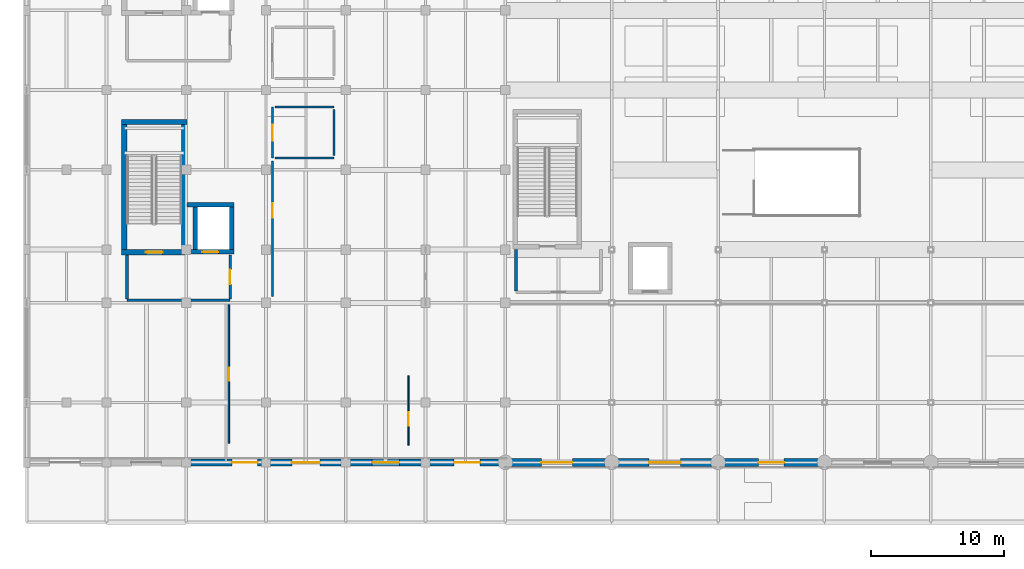
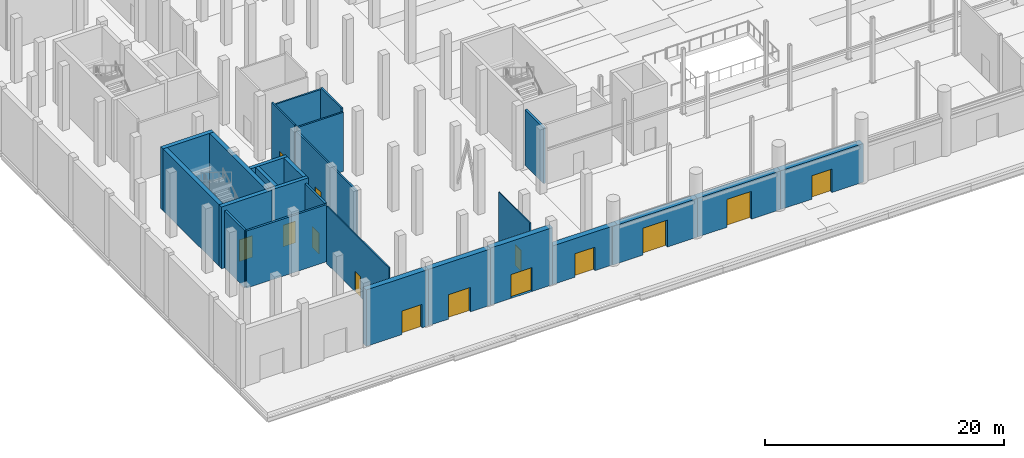
# One storey, part 118 of 140: 26 walls, 14 doors, 14 openings.
"""IFC4 building model written with IfcOpenShell, lengths in metres."""

from ifc_helpers import new_model, si_unit, direction, frame, frame_2d, origin, place, context, subcontext, project, spatial, rectangle, extrude, material, layer, layer_set, type_object, element, fill, save


model = new_model("IFC4")

# Units and contexts
model_context = context("Model", 3, precision=1e-05, world=origin(), true_north=direction((0.0, 1.0)))
body_context = subcontext(model_context, "Body", "Model", "MODEL_VIEW")
ifc_project = project(units=[si_unit("LENGTHUNIT", "METRE"), si_unit("AREAUNIT", "SQUARE_METRE"), si_unit("VOLUMEUNIT", "CUBIC_METRE"), si_unit("PLANEANGLEUNIT", "RADIAN"), si_unit("MASSUNIT", "GRAM", prefix="KILO")], contexts=[model_context])

# Site, building, storey
site_placement = place(None, origin())
site = spatial("IfcSite", under=ifc_project, at=site_placement, CompositionType="ELEMENT")
building_placement = place(site_placement, origin())
building = spatial("IfcBuilding", under=site, at=building_placement, Name="Verrall Gate Interchange", CompositionType="ELEMENT")
storey_placement = place(building_placement, origin())
storey = spatial("IfcBuildingStorey", under=building, at=storey_placement, Name="L01", CompositionType="ELEMENT", Elevation=0.0)

# Wall, opening, door
ifc_material_1 = material(Name="Prairie Charcoal Granite Plinth Rainscreen Assembly (U=0.18)", Category="masonry")
ifc_layer_1 = layer(ifc_material_1, 0.52001953125)
ifc_layer_set_1 = layer_set([ifc_layer_1], Name="Prairie Charcoal Granite Plinth Rainscreen Assembly (U=0.18)")
wall_type_1 = type_object("IfcWallType", Name="EW-03 Exterior Solid Wall 520", PredefinedType="SOLIDWALL", material=ifc_layer_set_1)
wall_1_placement = place(storey_placement, frame((36.25, 0.0, 0.0), z_axis=(0.0, 0.0, 1.0), x_axis=(-1.0, 0.0, 0.0)))
wall_1 = element("IfcWall", 1, at=wall_1_placement, inside=storey, type_object=wall_type_1, Name="L01 Classical Limestone Facade Wall 001", PredefinedType="SOLIDWALL", context=body_context, shape_type="SweptSolid", body=[
    extrude(rectangle(XDim=6.258056640625, YDim=0.52001953125, at=frame_2d((3.12890625, 0.0))), origin(), (0.0, 0.0, 1.0), 3.952880859375),
])
opening_1_placement = place(wall_1_placement, frame((2.154052734375, 0.0, 0.0)))
opening_1 = element("IfcOpeningElement", 2, at=opening_1_placement, cuts=wall_1, Name="Opening E01", PredefinedType="OPENING", context=body_context, shape_type="SweptSolid", body=[
    extrude(rectangle(XDim=1.949951171875, YDim=2.39990234375, at=frame_2d((0.97509765625, 1.199951171875))), frame((0.0, 0.27490234375, 0.0), z_axis=(0.0, -1.0, 0.0), x_axis=(1.0, 0.0, 0.0)), (0.0, 0.0, 1.0), 0.5498046875),
])
ifc_material_2 = material(Name="Thermally Broken Bronze-Anodized Aluminium Entrance Assembly", Category="aluminium")
door_type_1 = type_object("IfcDoorType", Name="ED-01 Exterior Entrance Door 1950x2400", OperationType="NOTDEFINED", PredefinedType="DOOR", material=ifc_material_2)
door_1_placement = place(opening_1_placement, origin())
door_1 = element("IfcDoor", 3, at=door_1_placement, inside=storey, type_object=door_type_1, Name="Main Interchange Exit Portal E01", OperationType="DOUBLE_DOOR_SINGLE_SWING", OverallHeight=2.39990234375, OverallWidth=1.949951171875, PredefinedType="DOOR", context=body_context, shape_type="SweptSolid", body=[
    extrude(rectangle(XDim=1.949951171875, YDim=2.39990234375, at=frame_2d((0.97509765625, 1.199951171875))), frame((0.0, 0.02490234375, 0.0), z_axis=(0.0, -1.0, 0.0), x_axis=(1.0, 0.0, 0.0)), (0.0, 0.0, 1.0), 0.050048828125),
])
fill(opening_1, door_1)

wall_2_placement = place(storey_placement, frame((30.008056640625, 0.0, 0.0), z_axis=(0.0, 0.0, 1.0), x_axis=(-1.0, 0.0, 0.0)))
wall_2 = element("IfcWall", 4, at=wall_2_placement, inside=storey, type_object=wall_type_1, Name="L01 Classical Limestone Facade Wall 002", PredefinedType="SOLIDWALL", context=body_context, shape_type="SweptSolid", body=[
    extrude(rectangle(XDim=6.01611328125, YDim=0.52001953125, at=frame_2d((3.008056640625, 0.0))), origin(), (0.0, 0.0, 1.0), 5.8369140625),
])
opening_2_placement = place(wall_2_placement, frame((1.98291015625, 0.0, 0.0)))
opening_2 = element("IfcOpeningElement", 5, at=opening_2_placement, cuts=wall_2, Name="Opening E02", PredefinedType="OPENING", context=body_context, shape_type="SweptSolid", body=[
    extrude(rectangle(XDim=2.050048828125, YDim=2.449951171875, at=frame_2d((1.02490234375, 1.22509765625))), frame((0.0, 0.27490234375, 0.0), z_axis=(0.0, -1.0, 0.0), x_axis=(1.0, 0.0, 0.0)), (0.0, 0.0, 1.0), 0.5498046875),
])
ifc_material_3 = material(Name="Thermally Broken Bronze-Anodized Aluminium Entrance Assembly", Category="aluminium")
door_type_2 = type_object("IfcDoorType", Name="ED-02 Exterior Entrance Door 2050x2450", OperationType="NOTDEFINED", PredefinedType="DOOR", material=ifc_material_3)
door_2_placement = place(opening_2_placement, origin())
door_2 = element("IfcDoor", 6, at=door_2_placement, inside=storey, type_object=door_type_2, Name="Main Interchange Exit Portal E02", OperationType="DOUBLE_DOOR_SINGLE_SWING", OverallHeight=2.449951171875, OverallWidth=2.050048828125, PredefinedType="DOOR", context=body_context, shape_type="SweptSolid", body=[
    extrude(rectangle(XDim=2.050048828125, YDim=2.449951171875, at=frame_2d((1.02490234375, 1.22509765625))), frame((0.0, 0.02490234375, 0.0), z_axis=(0.0, -1.0, 0.0), x_axis=(1.0, 0.0, 0.0)), (0.0, 0.0, 1.0), 0.050048828125),
])
fill(opening_2, door_2)

wall_3_placement = place(storey_placement, frame((24.008056640625, 0.0, 0.0), z_axis=(0.0, 0.0, 1.0), x_axis=(-1.0, 0.0, 0.0)))
wall_3 = element("IfcWall", 7, at=wall_3_placement, inside=storey, type_object=wall_type_1, Name="L01 Classical Limestone Facade Wall 003", PredefinedType="SOLIDWALL", context=body_context, shape_type="SweptSolid", body=[
    extrude(rectangle(XDim=6.01611328125, YDim=0.52001953125, at=frame_2d((3.008056640625, 0.0))), origin(), (0.0, 0.0, 1.0), 5.760986328125),
])
opening_3_placement = place(wall_3_placement, frame((1.947998046875, 0.0, 0.0)))
opening_3 = element("IfcOpeningElement", 8, at=opening_3_placement, cuts=wall_3, Name="Opening E03", PredefinedType="OPENING", context=body_context, shape_type="SweptSolid", body=[
    extrude(rectangle(XDim=2.1201171875, YDim=2.5, at=frame_2d((1.06005859375, 1.25))), frame((0.0, 0.27490234375, 0.0), z_axis=(0.0, -1.0, 0.0), x_axis=(1.0, 0.0, 0.0)), (0.0, 0.0, 1.0), 0.5498046875),
])
ifc_material_4 = material(Name="Thermally Broken Bronze-Anodized Aluminium Entrance Assembly", Category="aluminium")
door_type_3 = type_object("IfcDoorType", Name="ED-03 Exterior Entrance Door 2120x2500", OperationType="NOTDEFINED", PredefinedType="DOOR", material=ifc_material_4)
door_3_placement = place(opening_3_placement, origin())
door_3 = element("IfcDoor", 9, at=door_3_placement, inside=storey, type_object=door_type_3, Name="Main Interchange Exit Portal E03", OperationType="DOUBLE_DOOR_SINGLE_SWING", OverallHeight=2.5, OverallWidth=2.1201171875, PredefinedType="DOOR", context=body_context, shape_type="SweptSolid", body=[
    extrude(rectangle(XDim=2.1201171875, YDim=2.5, at=frame_2d((1.06005859375, 1.25))), frame((0.0, 0.02490234375, 0.0), z_axis=(0.0, -1.0, 0.0), x_axis=(1.0, 0.0, 0.0)), (0.0, 0.0, 1.0), 0.050048828125),
])
fill(opening_3, door_3)

wall_4_placement = place(storey_placement, frame((18.008056640625, 0.0, 0.0), z_axis=(0.0, 0.0, 1.0), x_axis=(-1.0, 0.0, 0.0)))
wall_4 = element("IfcWall", 10, at=wall_4_placement, inside=storey, type_object=wall_type_1, Name="L01 Classical Limestone Facade Wall 004", PredefinedType="SOLIDWALL", context=body_context, shape_type="SweptSolid", body=[
    extrude(rectangle(XDim=6.01611328125, YDim=0.52001953125, at=frame_2d((3.008056640625, 0.0))), origin(), (0.0, 0.0, 1.0), 5.760986328125),
])
opening_4_placement = place(wall_4_placement, frame((0.633056640625, 0.0, 0.0)))
opening_4 = element("IfcOpeningElement", 11, at=opening_4_placement, cuts=wall_4, Name="Opening E04", PredefinedType="OPENING", context=body_context, shape_type="SweptSolid", body=[
    extrude(rectangle(XDim=1.949951171875, YDim=2.39990234375, at=frame_2d((0.97509765625, 1.199951171875))), frame((0.0, 0.27490234375, 0.0), z_axis=(0.0, -1.0, 0.0), x_axis=(1.0, 0.0, 0.0)), (0.0, 0.0, 1.0), 0.5498046875),
])
door_4_placement = place(opening_4_placement, origin())
door_4 = element("IfcDoor", 12, at=door_4_placement, inside=storey, type_object=door_type_1, Name="Main Interchange Exit Portal E04", OperationType="DOUBLE_DOOR_SINGLE_SWING", OverallHeight=2.39990234375, OverallWidth=1.949951171875, PredefinedType="DOOR", context=body_context, shape_type="SweptSolid", body=[
    extrude(rectangle(XDim=1.949951171875, YDim=2.39990234375, at=frame_2d((0.97509765625, 1.199951171875))), frame((0.0, 0.02490234375, 0.0), z_axis=(0.0, -1.0, 0.0), x_axis=(1.0, 0.0, 0.0)), (0.0, 0.0, 1.0), 0.050048828125),
])
fill(opening_4, door_4)

ifc_material_5 = material(Name="Prairie Charcoal Granite Plinth Rainscreen Assembly (U=0.18)", Category="masonry")
ifc_layer_2 = layer(ifc_material_5, 0.6201171875)
ifc_layer_set_2 = layer_set([ifc_layer_2], Name="Prairie Charcoal Granite Plinth Rainscreen Assembly (U=0.18)")
wall_type_2 = type_object("IfcWallType", Name="EW-05 Exterior Solid Wall 620", PredefinedType="SOLIDWALL", material=ifc_layer_set_2)
wall_5_placement = place(storey_placement, frame((35.75, 0.0, 0.0), z_axis=(0.0, 0.0, 1.0), x_axis=(1.0, 0.0, 0.0)))
wall_5 = element("IfcWall", 13, at=wall_5_placement, inside=storey, type_object=wall_type_2, Name="L01 Classical Limestone Facade Wall 007", PredefinedType="SOLIDWALL", context=body_context, shape_type="SweptSolid", body=[
    extrude(rectangle(XDim=8.258056640625, YDim=0.6201171875, at=frame_2d((4.12890625, 0.0))), origin(), (0.0, 0.0, 1.0), 3.952880859375),
])
opening_5_placement = place(wall_5_placement, frame((2.958984375, 0.0, 0.0)))
opening_5 = element("IfcOpeningElement", 14, at=opening_5_placement, cuts=wall_5, Name="Opening E07", PredefinedType="OPENING", context=body_context, shape_type="SweptSolid", body=[
    extrude(rectangle(XDim=2.340087890625, YDim=2.75, at=frame_2d((1.169921875, 1.375))), frame((0.0, 0.324951171875, 0.0), z_axis=(0.0, -1.0, 0.0), x_axis=(1.0, 0.0, 0.0)), (0.0, 0.0, 1.0), 0.64990234375),
])
ifc_material_6 = material(Name="Thermally Broken Bronze-Anodized Aluminium Entrance Assembly", Category="aluminium")
door_type_4 = type_object("IfcDoorType", Name="ED-07 Exterior Entrance Door 2340x2750", OperationType="NOTDEFINED", PredefinedType="DOOR", material=ifc_material_6)
door_5_placement = place(opening_5_placement, origin())
door_5 = element("IfcDoor", 15, at=door_5_placement, inside=storey, type_object=door_type_4, Name="Main Interchange Exit Portal E07", OperationType="DOUBLE_DOOR_SINGLE_SWING", OverallHeight=2.75, OverallWidth=2.340087890625, PredefinedType="DOOR", context=body_context, shape_type="SweptSolid", body=[
    extrude(rectangle(XDim=2.340087890625, YDim=2.75, at=frame_2d((1.169921875, 1.375))), frame((0.0, 0.02490234375, 0.0), z_axis=(0.0, -1.0, 0.0), x_axis=(1.0, 0.0, 0.0)), (0.0, 0.0, 1.0), 0.050048828125),
])
fill(opening_5, door_5)

wall_6_placement = place(storey_placement, frame((43.991943359375, 0.0, 0.0), z_axis=(0.0, 0.0, 1.0), x_axis=(1.0, 0.0, 0.0)))
wall_6 = element("IfcWall", 16, at=wall_6_placement, inside=storey, type_object=wall_type_2, Name="L01 Classical Limestone Facade Wall 008", PredefinedType="SOLIDWALL", context=body_context, shape_type="SweptSolid", body=[
    extrude(rectangle(XDim=8.01611328125, YDim=0.6201171875, at=frame_2d((4.008056640625, 0.0))), origin(), (0.0, 0.0, 1.0), 3.952880859375),
])
opening_6_placement = place(wall_6_placement, frame((2.818115234375, 0.0, 0.0)))
opening_6 = element("IfcOpeningElement", 17, at=opening_6_placement, cuts=wall_6, Name="Opening E08", PredefinedType="OPENING", context=body_context, shape_type="SweptSolid", body=[
    extrude(rectangle(XDim=2.3798828125, YDim=2.85009765625, at=frame_2d((1.18994140625, 1.425048828125))), frame((0.0, 0.324951171875, 0.0), z_axis=(0.0, -1.0, 0.0), x_axis=(1.0, 0.0, 0.0)), (0.0, 0.0, 1.0), 0.64990234375),
])
ifc_material_7 = material(Name="Thermally Broken Bronze-Anodized Aluminium Entrance Assembly", Category="aluminium")
door_type_5 = type_object("IfcDoorType", Name="ED-08 Exterior Entrance Door 2380x2850", OperationType="NOTDEFINED", PredefinedType="DOOR", material=ifc_material_7)
door_6_placement = place(opening_6_placement, origin())
door_6 = element("IfcDoor", 18, at=door_6_placement, inside=storey, type_object=door_type_5, Name="Main Interchange Exit Portal E08", OperationType="DOUBLE_DOOR_SINGLE_SWING", OverallHeight=2.85009765625, OverallWidth=2.3798828125, PredefinedType="DOOR", context=body_context, shape_type="SweptSolid", body=[
    extrude(rectangle(XDim=2.3798828125, YDim=2.85009765625, at=frame_2d((1.18994140625, 1.425048828125))), frame((0.0, 0.02490234375, 0.0), z_axis=(0.0, -1.0, 0.0), x_axis=(1.0, 0.0, 0.0)), (0.0, 0.0, 1.0), 0.050048828125),
])
fill(opening_6, door_6)

wall_7_placement = place(storey_placement, frame((51.991943359375, 0.0, 0.0), z_axis=(0.0, 0.0, 1.0), x_axis=(1.0, 0.0, 0.0)))
wall_7 = element("IfcWall", 19, at=wall_7_placement, inside=storey, type_object=wall_type_2, Name="L01 Classical Limestone Facade Wall 009", PredefinedType="SOLIDWALL", context=body_context, shape_type="SweptSolid", body=[
    extrude(rectangle(XDim=8.01611328125, YDim=0.6201171875, at=frame_2d((4.008056640625, 0.0))), origin(), (0.0, 0.0, 1.0), 3.952880859375),
])
opening_7_placement = place(wall_7_placement, frame((3.032958984375, 0.0, 0.0)))
opening_7 = element("IfcOpeningElement", 20, at=opening_7_placement, cuts=wall_7, Name="Opening E09", PredefinedType="OPENING", context=body_context, shape_type="SweptSolid", body=[
    extrude(rectangle(XDim=1.949951171875, YDim=2.39990234375, at=frame_2d((0.97509765625, 1.199951171875))), frame((0.0, 0.324951171875, 0.0), z_axis=(0.0, -1.0, 0.0), x_axis=(1.0, 0.0, 0.0)), (0.0, 0.0, 1.0), 0.64990234375),
])
door_7_placement = place(opening_7_placement, origin())
door_7 = element("IfcDoor", 21, at=door_7_placement, inside=storey, type_object=door_type_1, Name="Main Interchange Exit Portal E09", OperationType="DOUBLE_DOOR_SINGLE_SWING", OverallHeight=2.39990234375, OverallWidth=1.949951171875, PredefinedType="DOOR", context=body_context, shape_type="SweptSolid", body=[
    extrude(rectangle(XDim=1.949951171875, YDim=2.39990234375, at=frame_2d((0.97509765625, 1.199951171875))), frame((0.0, 0.02490234375, 0.0), z_axis=(0.0, -1.0, 0.0), x_axis=(1.0, 0.0, 0.0)), (0.0, 0.0, 1.0), 0.050048828125),
])
fill(opening_7, door_7)

# Walls
ifc_material_8 = material(Name="Fire-Rated Type X Gypsum Stud Partition Assembly (60 min)", Category="gypsum")
ifc_layer_3 = layer(ifc_material_8, 0.199951171875)
ifc_layer_set_3 = layer_set([ifc_layer_3], Name="Fire-Rated Type X Gypsum Stud Partition Assembly (60 min)")
wall_type_3 = type_object("IfcWallType", Name="IW-01 Interior Partition Wall 200", PredefinedType="PARTITIONING", material=ifc_layer_set_3)
wall_8_placement = place(storey_placement, frame((7.550048828125, 12.199951171875, 0.0), z_axis=(0.0, 0.0, 1.0), x_axis=(1.0, 0.0, 0.0)))
element("IfcWall", 22, at=wall_8_placement, inside=storey, type_object=wall_type_3, Name="L01 Core C1 Lobby South Rated Wall", PredefinedType="PARTITIONING", context=body_context, shape_type="SweptSolid", body=[
    extrude(rectangle(XDim=7.75, YDim=0.199951171875, at=frame_2d((3.875, 0.0))), origin(), (0.0, 0.0, 1.0), 5.8369140625),
])
wall_9_placement = place(storey_placement, frame((7.550048828125, 15.60009765625, 0.0), z_axis=(0.0, 0.0, 1.0), x_axis=(0.0, -1.0, 0.0)))
element("IfcWall", 23, at=wall_9_placement, inside=storey, type_object=wall_type_3, Name="L01 Core C1 Lobby West Rated Wall", PredefinedType="PARTITIONING", context=body_context, shape_type="SweptSolid", body=[
    extrude(rectangle(XDim=3.320068359375, YDim=0.199951171875, at=frame_2d((1.66015625, 0.0))), origin(), (0.0, 0.0, 1.0), 5.8369140625),
])

# Wall, opening, door
wall_10_placement = place(storey_placement, frame((15.300048828125, 12.280029296875, 0.0), z_axis=(0.0, 0.0, 1.0), x_axis=(0.0, 1.0, 0.0)))
wall_10 = element("IfcWall", 24, at=wall_10_placement, inside=storey, type_object=wall_type_3, Name="L01 Core C1 Lobby East Rated Wall", PredefinedType="PARTITIONING", context=body_context, shape_type="SweptSolid", body=[
    extrude(rectangle(XDim=3.320068359375, YDim=0.199951171875, at=frame_2d((1.66015625, 0.0))), origin(), (0.0, 0.0, 1.0), 5.889892578125),
])
opening_8_placement = place(wall_10_placement, frame((1.110107421875, 0.0, 0.0)))
opening_8 = element("IfcOpeningElement", 25, at=opening_8_placement, cuts=wall_10, Name="Opening LBD012", PredefinedType="OPENING", context=body_context, shape_type="SweptSolid", body=[
    extrude(rectangle(XDim=1.10009765625, YDim=2.14990234375, at=frame_2d((0.550048828125, 1.074951171875))), frame((0.0, 0.11474609375, 0.0), z_axis=(0.0, -1.0, 0.0), x_axis=(1.0, 0.0, 0.0)), (0.0, 0.0, 1.0), 0.229736328125),
])
ifc_material_9 = material(Name="Hollow-Metal Fire-Rated Door Assembly", Category="metal")
door_type_6 = type_object("IfcDoorType", Name="ID-06 Interior Swing Door 1100x2150", OperationType="NOTDEFINED", PredefinedType="DOOR", material=ifc_material_9)
door_8_placement = place(opening_8_placement, origin())
door_8 = element("IfcDoor", 26, at=door_8_placement, inside=storey, type_object=door_type_6, Name="L01 Core C1 Lobby Fire Door LBD012", OperationType="SINGLE_SWING_RIGHT", OverallHeight=2.14990234375, OverallWidth=1.10009765625, PredefinedType="DOOR", context=body_context, shape_type="SweptSolid", body=[
    extrude(rectangle(XDim=1.10009765625, YDim=2.14990234375, at=frame_2d((0.550048828125, 1.074951171875))), frame((0.0, 0.02490234375, 0.0), z_axis=(0.0, -1.0, 0.0), x_axis=(1.0, 0.0, 0.0)), (0.0, 0.0, 1.0), 0.050048828125),
])
fill(opening_8, door_8)

# Wall
wall_11_placement = place(storey_placement, frame((36.800048828125, 16.0, 0.0), z_axis=(0.0, 0.0, 1.0), x_axis=(0.0, -1.0, 0.0)))
element("IfcWall", 27, at=wall_11_placement, inside=storey, type_object=wall_type_3, Name="L01 Core C5 Lobby West Rated Wall", PredefinedType="PARTITIONING", context=body_context, shape_type="SweptSolid", body=[
    extrude(rectangle(XDim=3.1201171875, YDim=0.199951171875, at=frame_2d((1.56005859375, 0.0))), origin(), (0.0, 0.0, 1.0), 5.68896484375),
])

# Wall, opening, door
ifc_material_10 = material(Name="Fire-Rated Type X Gypsum Stud Partition Assembly (60 min)", Category="gypsum")
ifc_layer_4 = layer(ifc_material_10, 0.159912109375)
ifc_layer_set_4 = layer_set([ifc_layer_4], Name="Fire-Rated Type X Gypsum Stud Partition Assembly (60 min)")
wall_type_4 = type_object("IfcWallType", Name="IW-02 Interior Partition Wall 160", PredefinedType="PARTITIONING", material=ifc_layer_set_4)
wall_12_placement = place(storey_placement, frame((18.47998046875, 22.8798828125, 0.0), z_axis=(0.0, 0.0, 1.0), x_axis=(0.0, 1.0, 0.0)))
wall_12 = element("IfcWall", 28, at=wall_12_placement, inside=storey, type_object=wall_type_4, Name="L01 Ground Public Washrooms Partition 019", PredefinedType="PARTITIONING", context=body_context, shape_type="SweptSolid", body=[
    extrude(rectangle(XDim=3.840087890625, YDim=0.159912109375, at=frame_2d((1.919921875, 0.0))), origin(), (0.0, 0.0, 1.0), 6.320068359375),
])
opening_9_placement = place(wall_12_placement, frame((1.320068359375, 0.0, 0.0)))
opening_9 = element("IfcOpeningElement", 29, at=opening_9_placement, cuts=wall_12, Name="Opening D018", PredefinedType="OPENING", context=body_context, shape_type="SweptSolid", body=[
    extrude(rectangle(XDim=1.199951171875, YDim=2.14990234375, at=frame_2d((0.60009765625, 1.074951171875))), frame((0.0, 0.0947265625, 0.0), z_axis=(0.0, -1.0, 0.0), x_axis=(1.0, 0.0, 0.0)), (0.0, 0.0, 1.0), 0.189697265625),
])
ifc_material_11 = material(Name="Architectural Solid-Core Birch Acoustic Door Assembly", Category="wood")
door_type_7 = type_object("IfcDoorType", Name="ID-15 Interior Swing Door 1200x2150", OperationType="NOTDEFINED", PredefinedType="DOOR", material=ifc_material_11)
door_9_placement = place(opening_9_placement, origin())
door_9 = element("IfcDoor", 30, at=door_9_placement, inside=storey, type_object=door_type_7, Name="L01 Ground Public Washrooms Door D018", OperationType="SINGLE_SWING_LEFT", OverallHeight=2.14990234375, OverallWidth=1.199951171875, PredefinedType="DOOR", context=body_context, shape_type="SweptSolid", body=[
    extrude(rectangle(XDim=1.199951171875, YDim=2.14990234375, at=frame_2d((0.60009765625, 1.074951171875))), frame((0.0, 0.02490234375, 0.0), z_axis=(0.0, -1.0, 0.0), x_axis=(1.0, 0.0, 0.0)), (0.0, 0.0, 1.0), 0.050048828125),
])
fill(opening_9, door_9)

# Walls
for number, where, z_axis, x_axis, name in (
    (31, (18.679931640625, 26.719970703125, 0.0), (0.0, 0.0, 1.0), (1.0, 0.0, 0.0), "L01 Ground Public Washrooms Partition 020"),
    (32, (23.1201171875, 22.8798828125, 0.0), (0.0, 0.0, 1.0), (-1.0, 0.0, 0.0), "L01 Ground Public Washrooms Partition 021"),
):
    element("IfcWall", number, at=place(storey_placement, frame(where, z_axis=z_axis, x_axis=x_axis)), inside=storey, type_object=wall_type_4, Name=name, PredefinedType="PARTITIONING", context=body_context, shape_type="SweptSolid", body=[
        extrude(rectangle(XDim=4.440185546875, YDim=0.159912109375, at=frame_2d((2.22021484375, 0.0))), origin(), (0.0, 0.0, 1.0), 6.047119140625),
    ])
wall_13_placement = place(storey_placement, frame((23.1201171875, 26.52001953125, 0.0), z_axis=(0.0, 0.0, 1.0), x_axis=(0.0, -1.0, 0.0)))
element("IfcWall", 33, at=wall_13_placement, inside=storey, type_object=wall_type_4, Name="L01 Ground Public Washrooms Partition 022", PredefinedType="PARTITIONING", context=body_context, shape_type="SweptSolid", body=[
    extrude(rectangle(XDim=3.43994140625, YDim=0.159912109375, at=frame_2d((1.719970703125, 0.0))), origin(), (0.0, 0.0, 1.0), 6.320068359375),
])

# Wall, opening, door
wall_14_placement = place(storey_placement, frame((18.47998046875, 12.47998046875, 0.0), z_axis=(0.0, 0.0, 1.0), x_axis=(0.0, 1.0, 0.0)))
wall_14 = element("IfcWall", 34, at=wall_14_placement, inside=storey, type_object=wall_type_4, Name="L01 Station Cafe and Bakery Partition 031", PredefinedType="PARTITIONING", context=body_context, shape_type="SweptSolid", body=[
    extrude(rectangle(XDim=10.179931640625, YDim=0.159912109375, at=frame_2d((5.08984375, 0.0))), origin(), (0.0, 0.0, 1.0), 5.889892578125),
])
opening_10_placement = place(wall_14_placement, frame((5.9150390625, 0.0, 0.0)))
opening_10 = element("IfcOpeningElement", 35, at=opening_10_placement, cuts=wall_14, Name="Opening D024", PredefinedType="OPENING", context=body_context, shape_type="SweptSolid", body=[
    extrude(rectangle(XDim=1.080078125, YDim=2.14990234375, at=frame_2d((0.5400390625, 1.074951171875))), frame((0.0, 0.0947265625, 0.0), z_axis=(0.0, -1.0, 0.0), x_axis=(1.0, 0.0, 0.0)), (0.0, 0.0, 1.0), 0.189697265625),
])
ifc_material_12 = material(Name="Architectural Solid-Core Birch Acoustic Door Assembly", Category="wood")
door_type_8 = type_object("IfcDoorType", Name="ID-13 Interior Swing Door 1080x2150", OperationType="NOTDEFINED", PredefinedType="DOOR", material=ifc_material_12)
door_10_placement = place(opening_10_placement, origin())
door_10 = element("IfcDoor", 36, at=door_10_placement, inside=storey, type_object=door_type_8, Name="L01 Station Cafe and Bakery Door D024", OperationType="SINGLE_SWING_LEFT", OverallHeight=2.14990234375, OverallWidth=1.080078125, PredefinedType="DOOR", context=body_context, shape_type="SweptSolid", body=[
    extrude(rectangle(XDim=1.080078125, YDim=2.14990234375, at=frame_2d((0.5400390625, 1.074951171875))), frame((0.0, 0.02490234375, 0.0), z_axis=(0.0, -1.0, 0.0), x_axis=(1.0, 0.0, 0.0)), (0.0, 0.0, 1.0), 0.050048828125),
])
fill(opening_10, door_10)

ifc_material_13 = material(Name="Acoustic Steel-Stud Partition Assembly", Category="steel")
ifc_layer_5 = layer(ifc_material_13, 0.1201171875)
ifc_layer_set_5 = layer_set([ifc_layer_5], Name="Acoustic Steel-Stud Partition Assembly")
wall_type_5 = type_object("IfcWallType", Name="IW-04 Interior Partition Wall 120", PredefinedType="PARTITIONING", material=ifc_layer_set_5)
wall_15_placement = place(storey_placement, frame((15.2099609375, 11.840087890625, 0.0), z_axis=(0.0, 0.0, 1.0), x_axis=(0.0, -1.0, 0.0)))
wall_15 = element("IfcWall", 37, at=wall_15_placement, inside=storey, type_object=wall_type_5, Name="L01 Passenger Service and Lost Property Suite Partition 029", PredefinedType="PARTITIONING", context=body_context, shape_type="SweptSolid", body=[
    extrude(rectangle(XDim=10.407958984375, YDim=0.1201171875, at=frame_2d((5.2041015625, 0.0))), origin(), (0.0, 0.0, 1.0), 5.889892578125),
])
opening_11_placement = place(wall_15_placement, frame((4.723876953125, 0.0, 0.0)))
opening_11 = element("IfcOpeningElement", 38, at=opening_11_placement, cuts=wall_15, Name="Opening D022", PredefinedType="OPENING", context=body_context, shape_type="SweptSolid", body=[
    extrude(rectangle(XDim=0.9599609375, YDim=2.10009765625, at=frame_2d((0.47998046875, 1.050048828125))), frame((0.0, 0.074951171875, 0.0), z_axis=(0.0, -1.0, 0.0), x_axis=(1.0, 0.0, 0.0)), (0.0, 0.0, 1.0), 0.14990234375),
])
ifc_material_14 = material(Name="Architectural Solid-Core Birch Acoustic Door Assembly", Category="wood")
door_type_9 = type_object("IfcDoorType", Name="ID-11 Interior Swing Door 960x2100", OperationType="NOTDEFINED", PredefinedType="DOOR", material=ifc_material_14)
door_11_placement = place(opening_11_placement, origin())
door_11 = element("IfcDoor", 39, at=door_11_placement, inside=storey, type_object=door_type_9, Name="L01 Passenger Service and Lost Property Suite Door D022", OperationType="SINGLE_SWING_LEFT", OverallHeight=2.10009765625, OverallWidth=0.9599609375, PredefinedType="DOOR", context=body_context, shape_type="SweptSolid", body=[
    extrude(rectangle(XDim=0.9599609375, YDim=2.10009765625, at=frame_2d((0.47998046875, 1.050048828125))), frame((0.0, 0.02490234375, 0.0), z_axis=(0.0, -1.0, 0.0), x_axis=(1.0, 0.0, 0.0)), (0.0, 0.0, 1.0), 0.050048828125),
])
fill(opening_11, door_11)

ifc_material_15 = material(Name="Acoustic Steel-Stud Partition Assembly", Category="steel")
ifc_layer_6 = layer(ifc_material_15, 0.10009765625)
ifc_layer_set_6 = layer_set([ifc_layer_6], Name="Acoustic Steel-Stud Partition Assembly")
wall_type_6 = type_object("IfcWallType", Name="IW-05 Interior Partition Wall 100", PredefinedType="PARTITIONING", material=ifc_layer_set_6)
wall_16_placement = place(storey_placement, frame((28.719970703125, 6.52001953125, 0.0), z_axis=(0.0, 0.0, 1.0), x_axis=(0.0, -1.0, 0.0)))
wall_16 = element("IfcWall", 40, at=wall_16_placement, inside=storey, type_object=wall_type_6, Name="L01 Central Alarm and Fire Control Room Partition 030", PredefinedType="PARTITIONING", context=body_context, shape_type="SweptSolid", body=[
    extrude(rectangle(XDim=5.248046875, YDim=0.10009765625, at=frame_2d((2.6240234375, 0.0))), origin(), (0.0, 0.0, 1.0), 5.8369140625),
])
opening_12_placement = place(wall_16_placement, frame((2.748291015625, 0.0, 0.0)))
opening_12 = element("IfcOpeningElement", 41, at=opening_12_placement, cuts=wall_16, Name="Opening D023", PredefinedType="OPENING", context=body_context, shape_type="SweptSolid", body=[
    extrude(rectangle(XDim=1.02001953125, YDim=2.10009765625, at=frame_2d((0.510009765625, 1.050048828125))), frame((0.0, 0.06494140625, 0.0), z_axis=(0.0, -1.0, 0.0), x_axis=(1.0, 0.0, 0.0)), (0.0, 0.0, 1.0), 0.1298828125),
])
ifc_material_16 = material(Name="Architectural Solid-Core Birch Acoustic Door Assembly", Category="wood")
door_type_10 = type_object("IfcDoorType", Name="ID-12 Interior Swing Door 1020x2100", OperationType="NOTDEFINED", PredefinedType="DOOR", material=ifc_material_16)
door_12_placement = place(opening_12_placement, origin())
door_12 = element("IfcDoor", 42, at=door_12_placement, inside=storey, type_object=door_type_10, Name="L01 Central Alarm and Fire Control Room Door D023", OperationType="SINGLE_SWING_RIGHT", OverallHeight=2.10009765625, OverallWidth=1.02001953125, PredefinedType="DOOR", context=body_context, shape_type="SweptSolid", body=[
    extrude(rectangle(XDim=1.02001953125, YDim=2.10009765625, at=frame_2d((0.510009765625, 1.050048828125))), frame((0.0, 0.02490234375, 0.0), z_axis=(0.0, -1.0, 0.0), x_axis=(1.0, 0.0, 0.0)), (0.0, 0.0, 1.0), 0.050048828125),
])
fill(opening_12, door_12)

ifc_material_17 = material(Name="Concrete CSA A23.1 40 MPa (Class N)", Category="concrete")
ifc_layer_7 = layer(ifc_material_17, 0.39990234375)
ifc_layer_set_7 = layer_set([ifc_layer_7], Name="Concrete CSA A23.1 40 MPa (Class N)")
wall_type_7 = type_object("IfcWallType", Name="SW-01 Core Shear Wall 400", PredefinedType="SHEAR", material=ifc_layer_set_7)
wall_17_placement = place(storey_placement, frame((7.14990234375, 15.800048828125, 0.0), z_axis=(0.0, 0.0, 1.0), x_axis=(1.0, 0.0, 0.0)))
wall_17 = element("IfcWall", 43, at=wall_17_placement, inside=storey, type_object=wall_type_7, Name="L01 Core C1 South Shear Wall", PredefinedType="SHEAR", context=body_context, shape_type="SweptSolid", body=[
    extrude(rectangle(XDim=4.900146484375, YDim=0.39990234375, at=frame_2d((2.4501953125, 0.0))), origin(), (0.0, 0.0, 1.0), 6.320068359375),
])
opening_13_placement = place(wall_17_placement, frame((1.824951171875, 0.0, 0.0)))
opening_13 = element("IfcOpeningElement", 44, at=opening_13_placement, cuts=wall_17, Name="Opening SD003", PredefinedType="OPENING", context=body_context, shape_type="SweptSolid", body=[
    extrude(rectangle(XDim=1.25, YDim=2.199951171875, at=frame_2d((0.625, 1.10009765625))), frame((0.0, 0.21484375, 0.0), z_axis=(0.0, -1.0, 0.0), x_axis=(1.0, 0.0, 0.0)), (0.0, 0.0, 1.0), 0.4296875),
])
ifc_material_18 = material(Name="Hollow-Metal Fire-Rated Door Assembly", Category="metal")
door_type_11 = type_object("IfcDoorType", Name="ID-03 Interior Swing Door 1250x2200", OperationType="NOTDEFINED", PredefinedType="DOOR", material=ifc_material_18)
door_13_placement = place(opening_13_placement, origin())
door_13 = element("IfcDoor", 45, at=door_13_placement, inside=storey, type_object=door_type_11, Name="L01 Stair ST-01 Fire Door SD003", OperationType="SINGLE_SWING_LEFT", OverallHeight=2.199951171875, OverallWidth=1.25, PredefinedType="DOOR", context=body_context, shape_type="SweptSolid", body=[
    extrude(rectangle(XDim=1.25, YDim=2.199951171875, at=frame_2d((0.625, 1.10009765625))), frame((0.0, 0.02490234375, 0.0), z_axis=(0.0, -1.0, 0.0), x_axis=(1.0, 0.0, 0.0)), (0.0, 0.0, 1.0), 0.050048828125),
])
fill(opening_13, door_13)

# Walls
wall_18_placement = place(storey_placement, frame((12.050048828125, 25.60009765625, 0.0), z_axis=(0.0, 0.0, 1.0), x_axis=(-1.0, 0.0, 0.0)))
element("IfcWall", 46, at=wall_18_placement, inside=storey, type_object=wall_type_7, Name="L01 Core C1 North Shear Wall", PredefinedType="SHEAR", context=body_context, shape_type="SweptSolid", body=[
    extrude(rectangle(XDim=4.900146484375, YDim=0.39990234375, at=frame_2d((2.4501953125, 0.0))), origin(), (0.0, 0.0, 1.0), 6.320068359375),
])
for number, where, z_axis, x_axis, name in (
    (47, (7.35009765625, 25.39990234375, 0.0), (0.0, 0.0, 1.0), (0.0, -1.0, 0.0), "L01 Core C1 West Shear Wall"),
    (48, (11.85009765625, 16.0, 0.0), (0.0, 0.0, 1.0), (0.0, 1.0, 0.0), "L01 Core C1 East Shear Wall"),
):
    element("IfcWall", number, at=place(storey_placement, frame(where, z_axis=z_axis, x_axis=x_axis)), inside=storey, type_object=wall_type_7, Name=name, PredefinedType="SHEAR", context=body_context, shape_type="SweptSolid", body=[
        extrude(rectangle(XDim=9.39990234375, YDim=0.39990234375, at=frame_2d((4.699951171875, 0.0))), origin(), (0.0, 0.0, 1.0), 6.320068359375),
    ])

# Wall, opening, door
ifc_material_19 = material(Name="Concrete CSA A23.1 40 MPa (Class N)", Category="concrete")
ifc_layer_8 = layer(ifc_material_19, 0.340087890625)
ifc_layer_set_8 = layer_set([ifc_layer_8], Name="Concrete CSA A23.1 40 MPa (Class N)")
wall_type_8 = type_object("IfcWallType", Name="SW-02 Core Shear Wall 340", PredefinedType="SHEAR", material=ifc_layer_set_8)
wall_19_placement = place(storey_placement, frame((12.050048828125, 15.830078125, 0.0), z_axis=(0.0, 0.0, 1.0), x_axis=(1.0, 0.0, 0.0)))
wall_19 = element("IfcWall", 49, at=wall_19_placement, inside=storey, type_object=wall_type_8, Name="L01 Elevator EL-01 South Shaft Wall", PredefinedType="SHEAR", context=body_context, shape_type="SweptSolid", body=[
    extrude(rectangle(XDim=3.5400390625, YDim=0.340087890625, at=frame_2d((1.77001953125, 0.0))), origin(), (0.0, 0.0, 1.0), 6.320068359375),
])
opening_14_placement = place(wall_19_placement, frame((1.169921875, 0.0, 0.0)))
opening_14 = element("IfcOpeningElement", 50, at=opening_14_placement, cuts=wall_19, Name="Opening LD-01-L01", PredefinedType="OPENING", context=body_context, shape_type="SweptSolid", body=[
    extrude(rectangle(XDim=1.199951171875, YDim=2.199951171875, at=frame_2d((0.60009765625, 1.10009765625))), frame((0.0, 0.18505859375, 0.0), z_axis=(0.0, -1.0, 0.0), x_axis=(1.0, 0.0, 0.0)), (0.0, 0.0, 1.0), 0.369873046875),
])
ifc_material_20 = material(Name="Stainless-Steel Elevator Landing Sliding Door Assembly", Category="steel")
door_type_12 = type_object("IfcDoorType", Name="LD-02 Elevator Sliding Landing Door 1200x2200", OperationType="NOTDEFINED", PredefinedType="DOOR", material=ifc_material_20)
door_14_placement = place(opening_14_placement, origin())
door_14 = element("IfcDoor", 51, at=door_14_placement, inside=storey, type_object=door_type_12, Name="L01 Elevator EL-01 Sliding Landing Door", OperationType="DOUBLE_DOOR_SLIDING", OverallHeight=2.199951171875, OverallWidth=1.199951171875, PredefinedType="DOOR", context=body_context, shape_type="SweptSolid", body=[
    extrude(rectangle(XDim=1.199951171875, YDim=2.199951171875, at=frame_2d((0.60009765625, 1.10009765625))), frame((0.0, 0.02490234375, 0.0), z_axis=(0.0, -1.0, 0.0), x_axis=(1.0, 0.0, 0.0)), (0.0, 0.0, 1.0), 0.050048828125),
])
fill(opening_14, door_14)

# Walls
wall_20_placement = place(storey_placement, frame((15.590087890625, 19.3701171875, 0.0), z_axis=(0.0, 0.0, 1.0), x_axis=(-1.0, 0.0, 0.0)))
element("IfcWall", 52, at=wall_20_placement, inside=storey, type_object=wall_type_8, Name="L01 Elevator EL-01 North Shaft Wall", PredefinedType="SHEAR", context=body_context, shape_type="SweptSolid", body=[
    extrude(rectangle(XDim=3.5400390625, YDim=0.340087890625, at=frame_2d((1.77001953125, 0.0))), origin(), (0.0, 0.0, 1.0), 6.320068359375),
])
for number, where, z_axis, x_axis, name in (
    (53, (12.679931640625, 19.199951171875, 0.0), (0.0, 0.0, 1.0), (0.0, -1.0, 0.0), "L01 Elevator EL-01 West Shaft Wall"),
    (54, (15.419921875, 16.0, 0.0), (0.0, 0.0, 1.0), (0.0, 1.0, 0.0), "L01 Elevator EL-01 East Shaft Wall"),
):
    element("IfcWall", number, at=place(storey_placement, frame(where, z_axis=z_axis, x_axis=x_axis)), inside=storey, type_object=wall_type_8, Name=name, PredefinedType="SHEAR", context=body_context, shape_type="SweptSolid", body=[
        extrude(rectangle(XDim=3.199951171875, YDim=0.340087890625, at=frame_2d((1.60009765625, 0.0))), origin(), (0.0, 0.0, 1.0), 6.320068359375),
    ])

save(model, "model.ifc")
